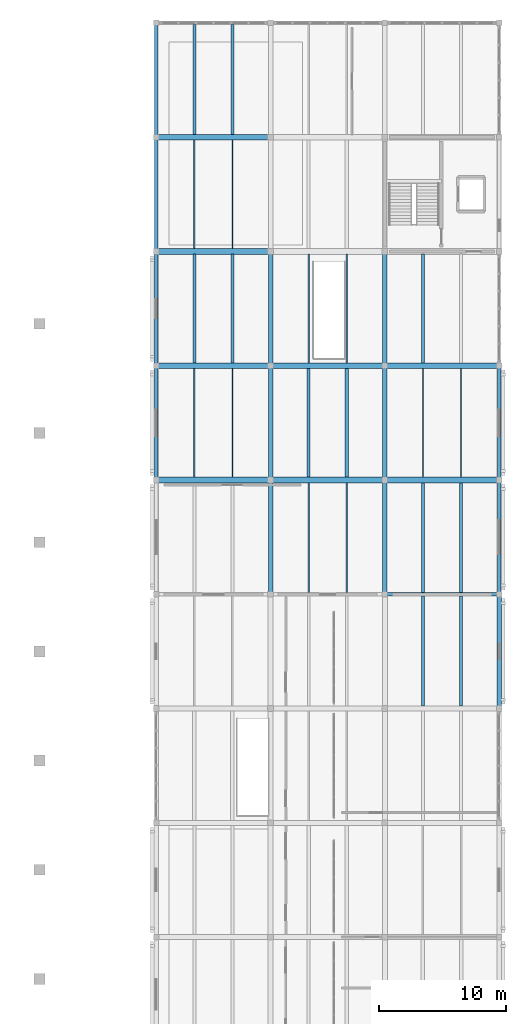
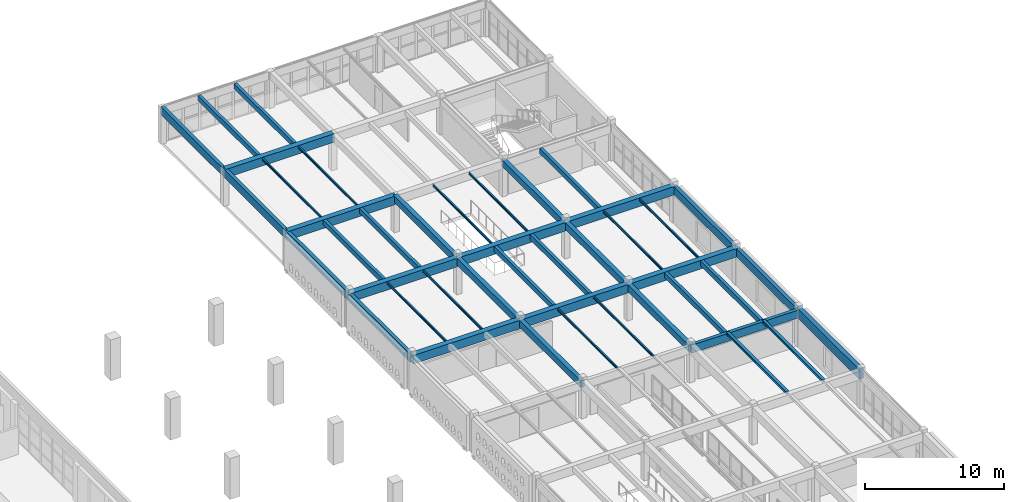
# One storey, part 47 of 80: 43 beams.
"""IFC4 building model written with IfcOpenShell, lengths in metres."""

from ifc_helpers import new_model, si_unit, direction, frame, origin, origin_2d, place, context, subcontext, project, spatial, rectangle, i_section, extrude, material, material_profile, profile_set, type_object, element, save


model = new_model("IFC4")

# Units and contexts
model_context = context("Model", 3, precision=1e-05, world=origin(), true_north=direction((0.0, 1.0)))
body_context = subcontext(model_context, "Body", "Model", "MODEL_VIEW")
ifc_project = project(units=[si_unit("LENGTHUNIT", "METRE"), si_unit("AREAUNIT", "SQUARE_METRE"), si_unit("VOLUMEUNIT", "CUBIC_METRE"), si_unit("PLANEANGLEUNIT", "RADIAN"), si_unit("MASSUNIT", "GRAM", prefix="KILO")], contexts=[model_context])

# Site, building, storey
site_placement = place(None, origin())
site = spatial("IfcSite", under=ifc_project, at=site_placement, CompositionType="ELEMENT")
building_placement = place(site_placement, origin())
building = spatial("IfcBuilding", under=site, at=building_placement, Name="Ornek Quay Market", CompositionType="ELEMENT")
storey_placement = place(building_placement, frame((0.0, 0.0, 8.39990234375)))
storey = spatial("IfcBuildingStorey", under=building, at=storey_placement, Name="L02", CompositionType="ELEMENT", Elevation=8.39990234375)

# Beams
ifc_material_1 = material(Name="Concrete C40/50", Category="concrete")
ifc_material_profile_1 = material_profile(ifc_material_1, rectangle(XDim=0.449951171875, YDim=0.75, at=origin_2d()), Name="RC 450x750", Category="concrete")
ifc_profile_set_1 = profile_set([ifc_material_profile_1], Name="Concrete C40/50")
beam_type_1 = type_object("IfcBeamType", Name="BM-FC-450x750", PredefinedType="BEAM", material=ifc_profile_set_1)
for number, where, z_axis, x_axis, name in (
    (1, (153.0, 74.0, 2.8251953125), (1.0, 0.0, 0.0), (0.0, 1.0, 0.0), "Primary beam B-FC1-059"),
    (2, (162.0, 74.0, 2.8251953125), (1.0, 0.0, 0.0), (0.0, 1.0, 0.0), "Primary beam B-FC1-060"),
    (3, (171.0, 74.0, 2.8251953125), (1.0, 0.0, 0.0), (0.0, 1.0, 0.0), "Primary beam B-FC1-061"),
    (4, (153.0, 83.0, 2.8251953125), (1.0, 0.0, 0.0), (0.0, 1.0, 0.0), "Primary beam B-FC1-062"),
    (5, (162.0, 83.0, 2.8251953125), (1.0, 0.0, 0.0), (0.0, 1.0, 0.0), "Primary beam B-FC1-063"),
    (6, (171.0, 83.0, 2.8251953125), (1.0, 0.0, 0.0), (0.0, 1.0, 0.0), "Primary beam B-FC1-064"),
    (7, (153.0, 92.0, 2.8251953125), (1.0, 0.0, 0.0), (0.0, 1.0, 0.0), "Primary beam B-FC1-065"),
    (8, (153.0, 101.0, 2.8251953125), (1.0, 0.0, 0.0), (0.0, 1.0, 0.0), "Primary beam B-FC1-068"),
):
    element("IfcBeam", number, at=place(storey_placement, frame(where, z_axis=z_axis, x_axis=x_axis)), inside=storey, type_object=beam_type_1, Name=name, PredefinedType="BEAM", context=body_context, shape_type="SweptSolid", body=[
        extrude(rectangle(XDim=0.449951171875, YDim=0.75, at=origin_2d()), origin(), (0.0, 0.0, 1.0), 9.0),
    ])
ifc_material_2 = material(Name="Concrete C35/45", Category="concrete")
ifc_material_profile_2 = material_profile(ifc_material_2, rectangle(XDim=0.35009765625, YDim=0.60009765625, at=origin_2d()), Name="RC 350x600", Category="concrete")
ifc_profile_set_2 = profile_set([ifc_material_profile_2], Name="Concrete C35/45")
beam_type_2 = type_object("IfcBeamType", Name="BM-RF-350x600", PredefinedType="BEAM", material=ifc_profile_set_2)
for number, where, z_axis, x_axis, name in (
    (9, (162.0, 65.0, 2.900146484375), (0.0, 1.0, 0.0), (-1.0, 0.0, 0.0), "Primary beam B-RF1-021"),
    (10, (162.0, 74.0, 2.900146484375), (0.0, 1.0, 0.0), (-1.0, 0.0, 0.0), "Primary beam B-RF1-022"),
    (11, (162.0, 83.0, 2.900146484375), (0.0, 1.0, 0.0), (-1.0, 0.0, 0.0), "Primary beam B-RF1-023"),
    (12, (171.0, 65.0, 2.900146484375), (0.0, 1.0, 0.0), (-1.0, 0.0, 0.0), "Primary beam B-RF1-026"),
    (13, (171.0, 74.0, 2.900146484375), (0.0, 1.0, 0.0), (-1.0, 0.0, 0.0), "Primary beam B-RF1-027"),
    (14, (171.0, 83.0, 2.900146484375), (0.0, 1.0, 0.0), (-1.0, 0.0, 0.0), "Primary beam B-RF1-028"),
):
    element("IfcBeam", number, at=place(storey_placement, frame(where, z_axis=z_axis, x_axis=x_axis)), inside=storey, type_object=beam_type_2, Name=name, PredefinedType="BEAM", context=body_context, shape_type="SweptSolid", body=[
        extrude(rectangle(XDim=0.35009765625, YDim=0.60009765625, at=origin_2d()), origin(), (0.0, 0.0, 1.0), 9.0),
    ])
ifc_material_profile_3 = material_profile(ifc_material_2, rectangle(XDim=0.25, YDim=0.449951171875, at=origin_2d()), Name="RC 250x450", Category="concrete")
ifc_profile_set_3 = profile_set([ifc_material_profile_3], Name="Concrete C35/45")
beam_type_3 = type_object("IfcBeamType", Name="BM-SEC-250x450", PredefinedType="JOIST", material=ifc_profile_set_3)
for number, where, z_axis, x_axis, name in (
    (15, (156.0, 83.217041015625, 2.97509765625), (0.0, 1.0, 0.0), (-1.0, 0.0, 0.0), "Secondary joist B-SC3-039"),
    (16, (159.0, 83.217041015625, 2.97509765625), (0.0, 1.0, 0.0), (-1.0, 0.0, 0.0), "Secondary joist B-SC3-040"),
):
    element("IfcBeam", number, at=place(storey_placement, frame(where, z_axis=z_axis, x_axis=x_axis)), inside=storey, type_object=beam_type_3, Name=name, PredefinedType="JOIST", context=body_context, shape_type="SweptSolid", body=[
        extrude(rectangle(XDim=0.25, YDim=0.449951171875, at=origin_2d()), origin(), (0.0, 0.0, 1.0), 8.56591796875),
    ])
for number, where, z_axis, x_axis, name in (
    (17, (156.0, 101.217041015625, 2.97509765625), (0.0, 1.0, 0.0), (-1.0, 0.0, 0.0), "Secondary joist B-SC3-041"),
    (18, (159.0, 101.217041015625, 2.97509765625), (0.0, 1.0, 0.0), (-1.0, 0.0, 0.0), "Secondary joist B-SC3-042"),
):
    element("IfcBeam", number, at=place(storey_placement, frame(where, z_axis=z_axis, x_axis=x_axis)), inside=storey, type_object=beam_type_3, Name=name, PredefinedType="JOIST", context=body_context, shape_type="SweptSolid", body=[
        extrude(rectangle(XDim=0.25, YDim=0.449951171875, at=origin_2d()), origin(), (0.0, 0.0, 1.0), 8.65087890625),
    ])
for number, where, z_axis, x_axis, name in (
    (19, (165.0, 74.217041015625, 2.97509765625), (0.0, 1.0, 0.0), (-1.0, 0.0, 0.0), "Secondary joist B-SC3-043"),
    (20, (168.0, 74.217041015625, 2.97509765625), (0.0, 1.0, 0.0), (-1.0, 0.0, 0.0), "Secondary joist B-SC3-044"),
):
    element("IfcBeam", number, at=place(storey_placement, frame(where, z_axis=z_axis, x_axis=x_axis)), inside=storey, type_object=beam_type_3, Name=name, PredefinedType="JOIST", context=body_context, shape_type="SweptSolid", body=[
        extrude(rectangle(XDim=0.25, YDim=0.449951171875, at=origin_2d()), origin(), (0.0, 0.0, 1.0), 8.56591796875),
    ])
for number, where, z_axis, x_axis, name in (
    (21, (174.0, 65.132080078125, 2.97509765625), (0.0, 1.0, 0.0), (-1.0, 0.0, 0.0), "Secondary joist B-SC3-047"),
    (22, (177.0, 65.132080078125, 2.97509765625), (0.0, 1.0, 0.0), (-1.0, 0.0, 0.0), "Secondary joist B-SC3-048"),
):
    element("IfcBeam", number, at=place(storey_placement, frame(where, z_axis=z_axis, x_axis=x_axis)), inside=storey, type_object=beam_type_3, Name=name, PredefinedType="JOIST", context=body_context, shape_type="SweptSolid", body=[
        extrude(rectangle(XDim=0.25, YDim=0.449951171875, at=origin_2d()), origin(), (0.0, 0.0, 1.0), 8.65087890625),
    ])
beam_1_placement = place(storey_placement, frame((174.0, 83.217041015625, 2.97509765625), z_axis=(0.0, 1.0, 0.0), x_axis=(-1.0, 0.0, 0.0)))
element("IfcBeam", 23, at=beam_1_placement, inside=storey, type_object=beam_type_3, Name="Secondary joist B-SC3-049", PredefinedType="JOIST", context=body_context, shape_type="SweptSolid", body=[
    extrude(rectangle(XDim=0.25, YDim=0.449951171875, at=origin_2d()), origin(), (0.0, 0.0, 1.0), 8.56591796875),
])
ifc_material_profile_4 = material_profile(ifc_material_2, rectangle(XDim=0.280029296875, YDim=0.699951171875, at=origin_2d()), Name="RC 280x700", Category="concrete")
ifc_profile_set_4 = profile_set([ifc_material_profile_4], Name="Concrete C35/45")
beam_type_4 = type_object("IfcBeamType", Name="BM-SPN-280x700", PredefinedType="SPANDREL", material=ifc_profile_set_4)
for number, where, z_axis, x_axis, name in (
    (24, (171.0, 65.0, 2.85009765625), (1.0, 0.0, 0.0), (0.0, 1.0, 0.0), "Primary beam B-SP2-089"),
    (25, (153.0, 74.0, 2.85009765625), (0.0, 1.0, 0.0), (-1.0, 0.0, 0.0), "Primary beam B-SP2-094"),
    (26, (153.0, 83.0, 2.85009765625), (0.0, 1.0, 0.0), (-1.0, 0.0, 0.0), "Primary beam B-SP2-095"),
    (27, (153.0, 92.0, 2.85009765625), (0.0, 1.0, 0.0), (-1.0, 0.0, 0.0), "Primary beam B-SP2-096"),
    (28, (153.0, 101.0, 2.85009765625), (0.0, 1.0, 0.0), (-1.0, 0.0, 0.0), "Primary beam B-SP2-097"),
    (29, (180.0, 65.0, 2.85009765625), (0.0, 1.0, 0.0), (-1.0, 0.0, 0.0), "Primary beam B-SP2-098"),
    (30, (180.0, 74.0, 2.85009765625), (0.0, 1.0, 0.0), (-1.0, 0.0, 0.0), "Primary beam B-SP2-099"),
):
    element("IfcBeam", number, at=place(storey_placement, frame(where, z_axis=z_axis, x_axis=x_axis)), inside=storey, type_object=beam_type_4, Name=name, PredefinedType="SPANDREL", context=body_context, shape_type="SweptSolid", body=[
        extrude(rectangle(XDim=0.280029296875, YDim=0.699951171875, at=origin_2d()), origin(), (0.0, 0.0, 1.0), 9.0),
    ])
ifc_material_profile_5 = material_profile(ifc_material_1, rectangle(XDim=0.35009765625, YDim=0.85009765625, at=origin_2d()), Name="RC 350x850", Category="concrete")
ifc_profile_set_5 = profile_set([ifc_material_profile_5], Name="Concrete C40/50")
beam_type_5 = type_object("IfcBeamType", Name="BM-SPN-350x850", PredefinedType="SPANDREL", material=ifc_profile_set_5)
beam_2_placement = place(storey_placement, frame((180.0, 56.0, 2.925048828125), z_axis=(0.0, 1.0, 0.0), x_axis=(-1.0, 0.0, 0.0)))
element("IfcBeam", 31, at=beam_2_placement, inside=storey, type_object=beam_type_5, Name="Primary beam B-SP1-160", PredefinedType="SPANDREL", context=body_context, shape_type="SweptSolid", body=[
    extrude(rectangle(XDim=0.35009765625, YDim=0.85009765625, at=origin_2d()), origin(), (0.0, 0.0, 1.0), 9.0),
])
ifc_material_3 = material(Name="Steel S355", Category="steel")
ifc_material_profile_6 = material_profile(ifc_material_3, i_section(OverallWidth=0.239990234375, OverallDepth=0.22998046875, WebThickness=0.007568359375, FlangeThickness=0.011962890625, FilletRadius=0.02099609375, at=origin_2d()), Name="HEA 240", Category="steel")
ifc_profile_set_6 = profile_set([ifc_material_profile_6], Name="Steel S355")
beam_type_6 = type_object("IfcBeamType", Name="BM-STL-HEA240", PredefinedType="BEAM", material=ifc_profile_set_6)
for number, where, z_axis, x_axis, name in (
    (32, (174.0, 56.19189453125, 3.235107421875), (0.0, 1.0, 0.0), (-1.0, 0.0, 0.0), "Secondary joist SB-14-037"),
    (33, (177.0, 56.19189453125, 3.235107421875), (0.0, 1.0, 0.0), (-1.0, 0.0, 0.0), "Secondary joist SB-14-038"),
):
    element("IfcBeam", number, at=place(storey_placement, frame(where, z_axis=z_axis, x_axis=x_axis)), inside=storey, type_object=beam_type_6, Name=name, PredefinedType="BEAM", context=body_context, shape_type="SweptSolid", body=[
        extrude(i_section(OverallWidth=0.239990234375, OverallDepth=0.22998046875, WebThickness=0.007568359375, FlangeThickness=0.011962890625, FilletRadius=0.02099609375, at=origin_2d()), origin(), (0.0, 0.0, 1.0), 8.676025390625),
    ])
ifc_material_profile_7 = material_profile(ifc_material_3, i_section(OverallWidth=0.10009765625, OverallDepth=0.199951171875, WebThickness=0.005615234375, FlangeThickness=0.008544921875, FilletRadius=0.011962890625, at=origin_2d()), Name="IPE 200", Category="steel")
ifc_profile_set_7 = profile_set([ifc_material_profile_7], Name="Steel S355")
beam_type_7 = type_object("IfcBeamType", Name="BM-STL-IPE200", PredefinedType="JOIST", material=ifc_profile_set_7)
for number, where, z_axis, x_axis, name in (
    (34, (156.0, 74.217041015625, 3.10009765625), (0.0, 1.0, 0.0), (-1.0, 0.0, 0.0), "Secondary joist SB-02-039"),
    (35, (159.0, 74.217041015625, 3.10009765625), (0.0, 1.0, 0.0), (-1.0, 0.0, 0.0), "Secondary joist SB-02-040"),
    (36, (156.0, 92.217041015625, 3.10009765625), (0.0, 1.0, 0.0), (-1.0, 0.0, 0.0), "Secondary joist SB-02-041"),
    (37, (159.0, 92.217041015625, 3.10009765625), (0.0, 1.0, 0.0), (-1.0, 0.0, 0.0), "Secondary joist SB-02-042"),
):
    element("IfcBeam", number, at=place(storey_placement, frame(where, z_axis=z_axis, x_axis=x_axis)), inside=storey, type_object=beam_type_7, Name=name, PredefinedType="JOIST", context=body_context, shape_type="SweptSolid", body=[
        extrude(i_section(OverallWidth=0.10009765625, OverallDepth=0.199951171875, WebThickness=0.005615234375, FlangeThickness=0.008544921875, FilletRadius=0.011962890625, at=origin_2d()), origin(), (0.0, 0.0, 1.0), 8.56591796875),
    ])
for number, where, z_axis, x_axis, name in (
    (38, (165.0, 65.132080078125, 3.10009765625), (0.0, 1.0, 0.0), (-1.0, 0.0, 0.0), "Secondary joist SB-02-043"),
    (39, (168.0, 65.132080078125, 3.10009765625), (0.0, 1.0, 0.0), (-1.0, 0.0, 0.0), "Secondary joist SB-02-044"),
):
    element("IfcBeam", number, at=place(storey_placement, frame(where, z_axis=z_axis, x_axis=x_axis)), inside=storey, type_object=beam_type_7, Name=name, PredefinedType="JOIST", context=body_context, shape_type="SweptSolid", body=[
        extrude(i_section(OverallWidth=0.10009765625, OverallDepth=0.199951171875, WebThickness=0.005615234375, FlangeThickness=0.008544921875, FilletRadius=0.011962890625, at=origin_2d()), origin(), (0.0, 0.0, 1.0), 8.65087890625),
    ])
for number, where, z_axis, x_axis, name in (
    (40, (165.0, 83.217041015625, 3.10009765625), (0.0, 1.0, 0.0), (-1.0, 0.0, 0.0), "Secondary joist SB-02-045"),
    (41, (168.0, 83.217041015625, 3.10009765625), (0.0, 1.0, 0.0), (-1.0, 0.0, 0.0), "Secondary joist SB-02-046"),
    (42, (174.0, 74.217041015625, 3.10009765625), (0.0, 1.0, 0.0), (-1.0, 0.0, 0.0), "Secondary joist SB-02-049"),
    (43, (177.0, 74.217041015625, 3.10009765625), (0.0, 1.0, 0.0), (-1.0, 0.0, 0.0), "Secondary joist SB-02-050"),
):
    element("IfcBeam", number, at=place(storey_placement, frame(where, z_axis=z_axis, x_axis=x_axis)), inside=storey, type_object=beam_type_7, Name=name, PredefinedType="JOIST", context=body_context, shape_type="SweptSolid", body=[
        extrude(i_section(OverallWidth=0.10009765625, OverallDepth=0.199951171875, WebThickness=0.005615234375, FlangeThickness=0.008544921875, FilletRadius=0.011962890625, at=origin_2d()), origin(), (0.0, 0.0, 1.0), 8.56591796875),
    ])

save(model, "model.ifc")
